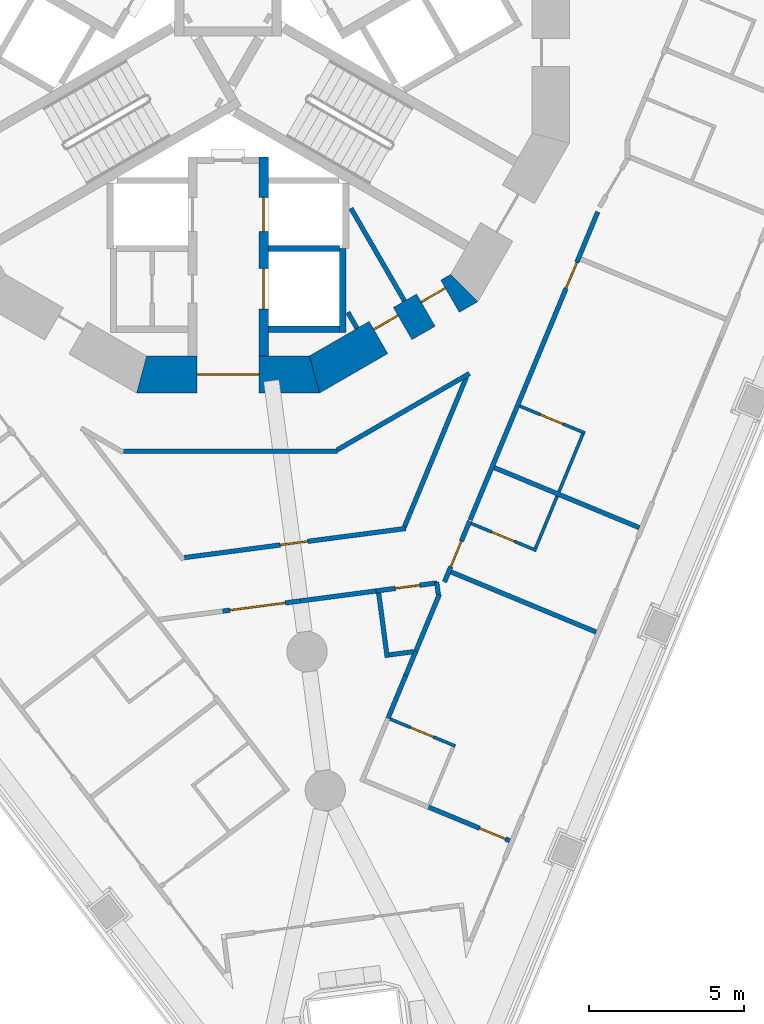
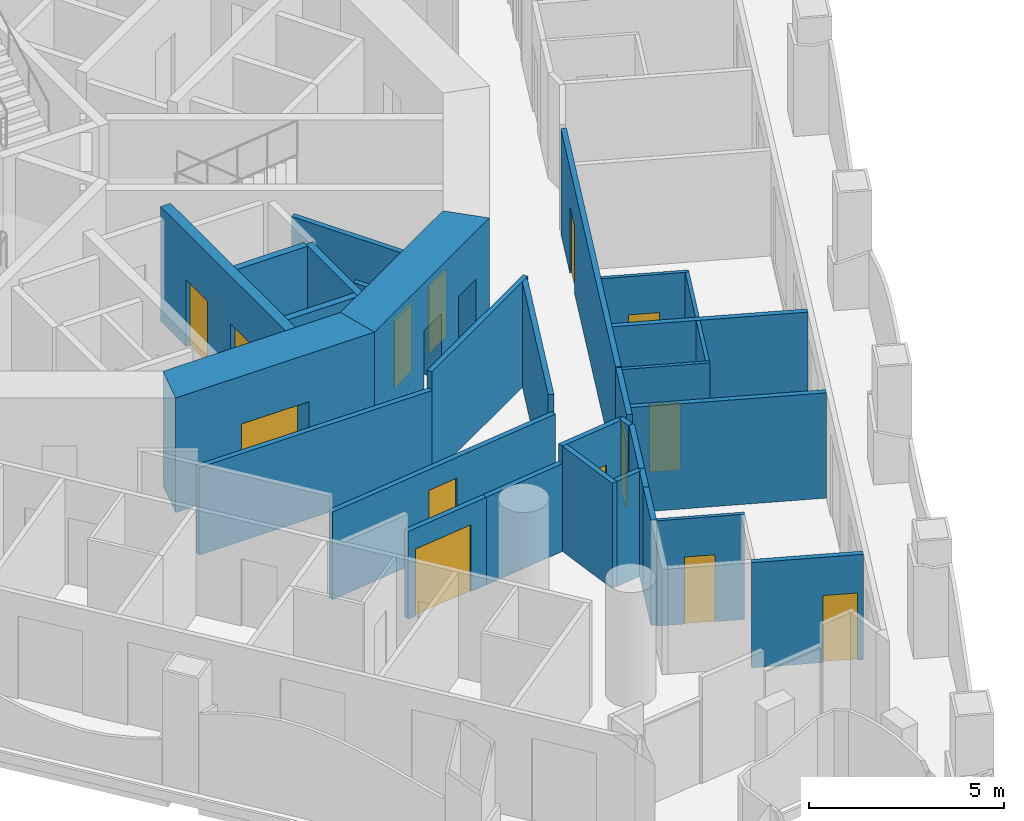
# One storey, part 4 of 19: 31 walls, 14 doors, 14 openings.
"""IFC4 building model written with IfcOpenShell, lengths in metres."""

from ifc_helpers import new_model, si_unit, direction, frame, frame_2d, origin, place, context, subcontext, project, spatial, polyline, rectangle, outline, extrude, material, layer, layer_set, type_object, element, fill, save


model = new_model("IFC4")

# Units and contexts
model_context = context("Model", 3, precision=1e-05, world=origin(), true_north=direction((0.0, 1.0)))
body_context = subcontext(model_context, "Body", "Model", "MODEL_VIEW")
ifc_project = project(units=[si_unit("LENGTHUNIT", "METRE"), si_unit("AREAUNIT", "SQUARE_METRE"), si_unit("VOLUMEUNIT", "CUBIC_METRE"), si_unit("PLANEANGLEUNIT", "RADIAN"), si_unit("MASSUNIT", "GRAM", prefix="KILO")], contexts=[model_context])

# Site, building, storey
site_placement = place(None, origin())
site = spatial("IfcSite", under=ifc_project, at=site_placement, CompositionType="ELEMENT")
building_placement = place(site_placement, origin())
building = spatial("IfcBuilding", under=site, at=building_placement, Name="Trine Commons Tower", CompositionType="ELEMENT")
storey_placement = place(building_placement, frame((0.0, 0.0, 57.60009765625)))
storey = spatial("IfcBuildingStorey", under=building, at=storey_placement, Name="L13", CompositionType="ELEMENT", Elevation=57.60009765625)

# Walls
ifc_material_1 = material(Name="Plasterboard partition on steel studs", Category="steel")
ifc_layer_1 = layer(ifc_material_1, 0.14990234375)
ifc_layer_set_1 = layer_set([ifc_layer_1], Name="Plasterboard partition on steel studs")
wall_type_1 = type_object("IfcWallType", Name="Core room partition 150 mm, EI 60", PredefinedType="PARTITIONING", material=ifc_layer_set_1)
wall_1_placement = place(storey_placement, frame((84.1640625, 53.574951171875, 0.0), z_axis=(0.0, 0.0, 1.0), x_axis=(-0.500665675203, 0.865640734759, 0.0)))
element("IfcWall", 1, at=wall_1_placement, inside=storey, type_object=wall_type_1, Name="Core room partition L13", PredefinedType="PARTITIONING", context=body_context, shape_type="SweptSolid", body=[
    extrude(rectangle(XDim=0.597412109375, YDim=0.14990234375, at=frame_2d((0.298828125, 0.0))), origin(), (0.0, 0.0, 1.0), 3.2998046875),
])
wall_2_placement = place(storey_placement, frame((85.693115234375, 54.4580078125, 0.0), z_axis=(0.0, 0.0, 1.0), x_axis=(-0.500258757272, 0.865875958653, 0.0)))
element("IfcWall", 2, at=wall_2_placement, inside=storey, type_object=wall_type_1, Name="Core room partition L13", PredefinedType="PARTITIONING", context=body_context, shape_type="SweptSolid", body=[
    extrude(rectangle(XDim=3.454345703125, YDim=0.14990234375, at=frame_2d((1.72705078125, 0.0))), origin(), (0.0, 0.0, 1.0), 3.2998046875),
])

# Wall, opening, door
ifc_material_2 = material(Name="Concrete C80/95", Category="concrete")
ifc_layer_2 = layer(ifc_material_2, 1.199951171875)
ifc_layer_set_2 = layer_set([ifc_layer_2], Name="Concrete C80/95")
wall_type_2 = type_object("IfcWallType", Name="RC shear wall 1200 mm, C80/95", PredefinedType="SHEAR", material=ifc_layer_set_2)
wall_3_placement = place(storey_placement, frame((77.049560546875, 52.08837890625, 0.0), z_axis=(0.0, 0.0, 1.0), x_axis=(1.0, 0.0, 0.0)))
wall_3 = element("IfcWall", 3, at=wall_3_placement, inside=storey, type_object=wall_type_2, Name="Core wall CWB-10 L13", PredefinedType="SHEAR", context=body_context, shape_type="SweptSolid", body=[
    extrude(outline(polyline([(0.0, -0.60009765625), (5.90087890625, -0.60009765625), (5.57958984375, 0.60009765625), (0.321533203125, 0.60009765625), (0.0, -0.60009765625)])), origin(), (0.0, 0.0, 1.0), 3.599853515625),
])
opening_1_placement = place(wall_3_placement, frame((1.950439453125, 0.0, 0.0)))
opening_1 = element("IfcOpeningElement", 4, at=opening_1_placement, cuts=wall_3, Name="Opening K04.08", PredefinedType="OPENING", context=body_context, shape_type="SweptSolid", body=[
    extrude(rectangle(XDim=2.0, YDim=2.10009765625, at=frame_2d((1.0, 1.050048828125))), frame((0.0, 0.60986328125, 0.0), z_axis=(0.0, -1.0, 0.0), x_axis=(1.0, 0.0, 0.0)), (0.0, 0.0, 1.0), 1.219970703125),
])
ifc_material_3 = material(Name="Steel door leaves, fire-rated", Category="steel")
door_type_1 = type_object("IfcDoorType", Name="Lobby door, double leaf 2000 x 2100, FD60", OperationType="DOUBLE_DOOR_SINGLE_SWING", PredefinedType="DOOR", material=ifc_material_3)
door_1_placement = place(opening_1_placement, origin())
door_1 = element("IfcDoor", 5, at=door_1_placement, inside=storey, type_object=door_type_1, Name="Lobby door, Service and firefighting lobby L13", OperationType="DOUBLE_DOOR_SINGLE_SWING", OverallHeight=2.10009765625, OverallWidth=2.0, PredefinedType="DOOR", context=body_context, shape_type="SweptSolid", body=[
    extrude(rectangle(XDim=2.0, YDim=2.10009765625, at=frame_2d((1.0, 1.050048828125))), frame((0.0, 0.02490234375, 0.0), z_axis=(0.0, -1.0, 0.0), x_axis=(1.0, 0.0, 0.0)), (0.0, 0.0, 1.0), 0.050048828125),
])
fill(opening_1, door_1)

# Wall, openings, doors
wall_4_placement = place(storey_placement, frame((82.650390625, 52.008056640625, 0.0), z_axis=(0.0, 0.0, 1.0), x_axis=(0.866037463336, 0.499979111662, 0.0)))
wall_4 = element("IfcWall", 6, at=wall_4_placement, inside=storey, type_object=wall_type_2, Name="Core wall CWB-11 L13", PredefinedType="SHEAR", context=body_context, shape_type="SweptSolid", body=[
    extrude(outline(polyline([(0.0, -0.60009765625), (5.901123046875, -0.60009765625), (5.57958984375, 0.60009765625), (0.321533203125, 0.60009765625), (0.0, -0.60009765625)])), origin(), (0.0, 0.0, 1.0), 3.599853515625),
])
opening_2_placement = place(wall_4_placement, frame((2.543701171875, 0.0, 0.0)))
opening_2 = element("IfcOpeningElement", 7, at=opening_2_placement, cuts=wall_4, Name="Opening K04.16", PredefinedType="OPENING", context=body_context, shape_type="SweptSolid", body=[
    extrude(rectangle(XDim=0.89990234375, YDim=2.10009765625, at=frame_2d((0.449951171875, 1.050048828125))), frame((0.0, 0.60986328125, 0.0), z_axis=(0.0, -1.0, 0.0), x_axis=(1.0, 0.0, 0.0)), (0.0, 0.0, 1.0), 1.219970703125),
])
opening_3_placement = place(wall_4_placement, frame((4.308837890625, 0.0, 0.0)))
opening_3 = element("IfcOpeningElement", 8, at=opening_3_placement, cuts=wall_4, Name="Opening K04.17", PredefinedType="OPENING", context=body_context, shape_type="SweptSolid", body=[
    extrude(rectangle(XDim=0.89990234375, YDim=2.10009765625, at=frame_2d((0.449951171875, 1.050048828125))), frame((0.0, 0.60986328125, 0.0), z_axis=(0.0, -1.0, 0.0), x_axis=(1.0, 0.0, 0.0)), (0.0, 0.0, 1.0), 1.219970703125),
])
ifc_material_4 = material(Name="Steel door leaf, fire-rated", Category="steel")
door_type_2 = type_object("IfcDoorType", Name="Core room door, single leaf 900 x 2100, FD30S", OperationType="SINGLE_SWING_LEFT", PredefinedType="DOOR", material=ifc_material_4)
door_2_placement = place(opening_2_placement, origin())
door_2 = element("IfcDoor", 9, at=door_2_placement, inside=storey, type_object=door_type_2, Name="Door to Linen store L13", OperationType="SINGLE_SWING_RIGHT", OverallHeight=2.10009765625, OverallWidth=0.89990234375, PredefinedType="DOOR", context=body_context, shape_type="SweptSolid", body=[
    extrude(rectangle(XDim=0.89990234375, YDim=2.10009765625, at=frame_2d((0.449951171875, 1.050048828125))), frame((0.0, 0.3251953125, 0.0), z_axis=(0.0, -1.0, 0.0), x_axis=(1.0, 0.0, 0.0)), (0.0, 0.0, 1.0), 0.050048828125),
])
fill(opening_2, door_2)
door_3_placement = place(opening_3_placement, origin())
door_3 = element("IfcDoor", 10, at=door_3_placement, inside=storey, type_object=door_type_2, Name="Door to Pantry L13", OperationType="SINGLE_SWING_RIGHT", OverallHeight=2.10009765625, OverallWidth=0.89990234375, PredefinedType="DOOR", context=body_context, shape_type="SweptSolid", body=[
    extrude(rectangle(XDim=0.89990234375, YDim=2.10009765625, at=frame_2d((0.449951171875, 1.050048828125))), frame((0.0, 0.3251953125, 0.0), z_axis=(0.0, -1.0, 0.0), x_axis=(1.0, 0.0, 0.0)), (0.0, 0.0, 1.0), 0.050048828125),
])
fill(opening_3, door_3)

ifc_layer_3 = layer(ifc_material_2, 0.300048828125)
ifc_layer_set_3 = layer_set([ifc_layer_3], Name="Concrete C80/95")
wall_type_3 = type_object("IfcWallType", Name="RC shear wall 300 mm, C80/95", PredefinedType="SHEAR", material=ifc_layer_set_3)
wall_5_placement = place(storey_placement, frame((81.14990234375, 59.10009765625, 0.0), z_axis=(0.0, 0.0, 1.0), x_axis=(0.0, -1.0, 0.0)))
wall_5 = element("IfcWall", 11, at=wall_5_placement, inside=storey, type_object=wall_type_3, Name="Core cross wall SWA-04 L13", PredefinedType="SHEAR", context=body_context, shape_type="SweptSolid", body=[
    extrude(rectangle(XDim=6.412109375, YDim=0.300048828125, at=frame_2d((3.2060546875, 0.0))), origin(), (0.0, 0.0, 1.0), 3.599853515625),
])
opening_4_placement = place(wall_5_placement, frame((3.60009765625, 0.0, 0.0)))
opening_4 = element("IfcOpeningElement", 12, at=opening_4_placement, cuts=wall_5, Name="Opening LD11", PredefinedType="OPENING", context=body_context, shape_type="SweptSolid", body=[
    extrude(rectangle(XDim=1.300048828125, YDim=2.10009765625, at=frame_2d((0.64990234375, 1.050048828125))), frame((0.0, 0.159912109375, 0.0), z_axis=(0.0, -1.0, 0.0), x_axis=(1.0, 0.0, 0.0)), (0.0, 0.0, 1.0), 0.320068359375),
])
opening_5_placement = place(wall_5_placement, frame((1.300048828125, 0.0, 0.0)))
opening_5 = element("IfcOpeningElement", 13, at=opening_5_placement, cuts=wall_5, Name="Opening LD9", PredefinedType="OPENING", context=body_context, shape_type="SweptSolid", body=[
    extrude(rectangle(XDim=1.10009765625, YDim=2.10009765625, at=frame_2d((0.550048828125, 1.050048828125))), frame((0.0, 0.159912109375, 0.0), z_axis=(0.0, -1.0, 0.0), x_axis=(1.0, 0.0, 0.0)), (0.0, 0.0, 1.0), 0.320068359375),
])
ifc_material_5 = material(Name="Stainless steel sliding door leaves", Category="steel")
door_type_3 = type_object("IfcDoorType", Name="Lift landing door, centre-opening sliding 1100 x 2100, FD90", OperationType="DOUBLE_DOOR_SLIDING", PredefinedType="DOOR", material=ifc_material_5)
door_4_placement = place(opening_5_placement, origin())
door_4 = element("IfcDoor", 14, at=door_4_placement, inside=storey, type_object=door_type_3, Name="Lift landing door FF1 L13", OperationType="DOUBLE_DOOR_SLIDING", OverallHeight=2.10009765625, OverallWidth=1.10009765625, PredefinedType="DOOR", context=body_context, shape_type="SweptSolid", body=[
    extrude(rectangle(XDim=1.10009765625, YDim=2.10009765625, at=frame_2d((0.550048828125, 1.050048828125))), frame((0.0, 0.02490234375, 0.0), z_axis=(0.0, -1.0, 0.0), x_axis=(1.0, 0.0, 0.0)), (0.0, 0.0, 1.0), 0.050048828125),
])
fill(opening_5, door_4)
door_type_4 = type_object("IfcDoorType", Name="Lift landing door, centre-opening sliding 1300 x 2100, FD90", OperationType="DOUBLE_DOOR_SLIDING", PredefinedType="DOOR", material=ifc_material_5)
door_5_placement = place(opening_4_placement, origin())
door_5 = element("IfcDoor", 15, at=door_5_placement, inside=storey, type_object=door_type_4, Name="Lift landing door G1 L13", OperationType="DOUBLE_DOOR_SLIDING", OverallHeight=2.10009765625, OverallWidth=1.300048828125, PredefinedType="DOOR", context=body_context, shape_type="SweptSolid", body=[
    extrude(rectangle(XDim=1.300048828125, YDim=2.10009765625, at=frame_2d((0.64990234375, 1.050048828125))), frame((0.0, 0.02490234375, 0.0), z_axis=(0.0, -1.0, 0.0), x_axis=(1.0, 0.0, 0.0)), (0.0, 0.0, 1.0), 0.050048828125),
])
fill(opening_4, door_5)

# Walls
ifc_material_6 = material(Name="Fire-rated gypsum shaft wall system")
ifc_layer_4 = layer(ifc_material_6, 0.199951171875)
ifc_layer_set_4 = layer_set([ifc_layer_4], Name="Fire-rated gypsum shaft wall system")
wall_type_4 = type_object("IfcWallType", Name="Shaft wall 200 mm, EI 120", PredefinedType="PARTITIONING", material=ifc_layer_set_4)
for number, where, z_axis, x_axis, name in (
    (16, (81.300048828125, 53.550048828125, 0.0), (0.0, 0.0, 1.0), (1.0, 0.0, 0.0), "Shaft wall L13"),
    (17, (81.300048828125, 56.14990234375, 0.0), (0.0, 0.0, 1.0), (1.0, 0.0, 0.0), "Shaft wall L13"),
):
    element("IfcWall", number, at=place(storey_placement, frame(where, z_axis=z_axis, x_axis=x_axis)), inside=storey, type_object=wall_type_4, Name=name, PredefinedType="PARTITIONING", context=body_context, shape_type="SweptSolid", body=[
        extrude(rectangle(XDim=2.300048828125, YDim=0.199951171875, at=frame_2d((1.14990234375, 0.0))), origin(), (0.0, 0.0, 1.0), 3.2998046875),
    ])
wall_6_placement = place(storey_placement, frame((83.699951171875, 56.14990234375, 0.0), z_axis=(0.0, 0.0, 1.0), x_axis=(0.0, -1.0, 0.0)))
element("IfcWall", 18, at=wall_6_placement, inside=storey, type_object=wall_type_4, Name="Shaft wall L13", PredefinedType="PARTITIONING", context=body_context, shape_type="SweptSolid", body=[
    extrude(rectangle(XDim=2.699951171875, YDim=0.199951171875, at=frame_2d((1.35009765625, 0.0))), origin(), (0.0, 0.0, 1.0), 3.2998046875),
])
ifc_material_7 = material(Name="Gypsum plasterboard on steel stud", Category="steel")
ifc_layer_5 = layer(ifc_material_7, 0.14990234375)
ifc_layer_set_5 = layer_set([ifc_layer_5], Name="Gypsum plasterboard on steel stud")
wall_type_5 = type_object("IfcWallType", Name="Unit and corridor wall 150 mm, EI 60", PredefinedType="PARTITIONING", material=ifc_layer_set_5)
wall_7_placement = place(storey_placement, frame((76.6220703125, 49.613037109375, 0.0), z_axis=(0.0, 0.0, 1.0), x_axis=(1.0, 0.0, 0.0)))
element("IfcWall", 19, at=wall_7_placement, inside=storey, type_object=wall_type_5, Name="Partition 075", PredefinedType="PARTITIONING", context=body_context, shape_type="SweptSolid", body=[
    extrude(rectangle(XDim=6.906005859375, YDim=0.14990234375, at=frame_2d((3.453125, 0.0))), origin(), (0.0, 0.0, 1.0), 2.75),
])

# Wall, opening, door
wall_8_placement = place(storey_placement, frame((78.58642578125, 46.177734375, 0.0), z_axis=(0.0, 0.0, 1.0), x_axis=(0.991437356371, 0.130583185714, 0.0)))
wall_8 = element("IfcWall", 20, at=wall_8_placement, inside=storey, type_object=wall_type_5, Name="Partition 081", PredefinedType="PARTITIONING", context=body_context, shape_type="SweptSolid", body=[
    extrude(rectangle(XDim=7.21484375, YDim=0.14990234375, at=frame_2d((3.607421875, 0.0))), origin(), (0.0, 0.0, 1.0), 2.75),
])
opening_6_placement = place(wall_8_placement, frame((3.119873046875, 0.0, 0.0)))
opening_6 = element("IfcOpeningElement", 21, at=opening_6_placement, cuts=wall_8, Name="Opening D-2A36", PredefinedType="OPENING", context=body_context, shape_type="SweptSolid", body=[
    extrude(rectangle(XDim=0.89990234375, YDim=2.10009765625, at=frame_2d((0.449951171875, 1.050048828125))), frame((0.0, 0.0849609375, 0.0), z_axis=(0.0, -1.0, 0.0), x_axis=(1.0, 0.0, 0.0)), (0.0, 0.0, 1.0), 0.169921875),
])
ifc_material_8 = material(Name="Timber fire door set", Category="wood")
door_type_5 = type_object("IfcDoorType", Name="Service door 900 x 2100, FD30S", OperationType="NOTDEFINED", PredefinedType="DOOR", material=ifc_material_8)
door_6_placement = place(opening_6_placement, origin())
door_6 = element("IfcDoor", 22, at=door_6_placement, inside=storey, type_object=door_type_5, Name="Door D-2A36", OperationType="SINGLE_SWING_LEFT", OverallHeight=2.10009765625, OverallWidth=0.89990234375, PredefinedType="DOOR", context=body_context, shape_type="SweptSolid", body=[
    extrude(rectangle(XDim=0.89990234375, YDim=2.10009765625, at=frame_2d((0.449951171875, 1.050048828125))), frame((0.0, 0.02490234375, 0.0), z_axis=(0.0, -1.0, 0.0), x_axis=(1.0, 0.0, 0.0)), (0.0, 0.0, 1.0), 0.050048828125),
])
fill(opening_6, door_6)

wall_9_placement = place(storey_placement, frame((79.830078125, 44.450927734375, 0.0), z_axis=(0.0, 0.0, 1.0), x_axis=(0.991466141497, 0.130364451691, 0.0)))
wall_9 = element("IfcWall", 23, at=wall_9_placement, inside=storey, type_object=wall_type_5, Name="Partition 086", PredefinedType="PARTITIONING", context=body_context, shape_type="SweptSolid", body=[
    extrude(rectangle(XDim=2.5244140625, YDim=0.14990234375, at=frame_2d((1.26220703125, 0.0))), origin(), (0.0, 0.0, 1.0), 2.75),
])
opening_7_placement = place(wall_9_placement, frame((0.23486328125, 0.0, 0.0)))
opening_7 = element("IfcOpeningElement", 24, at=opening_7_placement, cuts=wall_9, Name="Opening D-2A02", PredefinedType="OPENING", context=body_context, shape_type="SweptSolid", body=[
    extrude(rectangle(XDim=1.800048828125, YDim=2.10009765625, at=frame_2d((0.89990234375, 1.050048828125))), frame((0.0, 0.0849609375, 0.0), z_axis=(0.0, -1.0, 0.0), x_axis=(1.0, 0.0, 0.0)), (0.0, 0.0, 1.0), 0.169921875),
])
door_type_6 = type_object("IfcDoorType", Name="Cluster entrance door 1800 x 2100, double leaf, FD30S", OperationType="DOUBLE_DOOR_DOUBLE_SWING", PredefinedType="DOOR", material=ifc_material_8)
door_7_placement = place(opening_7_placement, frame((1.800048828125, 0.0, 0.0), z_axis=(0.0, 0.0, 1.0), x_axis=(-1.0, 0.0, 0.0)))
door_7 = element("IfcDoor", 25, at=door_7_placement, inside=storey, type_object=door_type_6, Name="Door D-2A02", OperationType="DOUBLE_DOOR_DOUBLE_SWING", OverallHeight=2.10009765625, OverallWidth=1.800048828125, PredefinedType="DOOR", context=body_context, shape_type="SweptSolid", body=[
    extrude(rectangle(XDim=1.800048828125, YDim=2.10009765625, at=frame_2d((0.89990234375, 1.050048828125))), frame((0.0, 0.02490234375, 0.0), z_axis=(0.0, -1.0, 0.0), x_axis=(1.0, 0.0, 0.0)), (0.0, 0.0, 1.0), 0.050048828125),
])
fill(opening_7, door_7)

# Walls
wall_10_placement = place(storey_placement, frame((82.3330078125, 44.780029296875, 0.0), z_axis=(0.0, 0.0, 1.0), x_axis=(0.991416071527, 0.130744686764, 0.0)))
element("IfcWall", 26, at=wall_10_placement, inside=storey, type_object=wall_type_5, Name="Partition 089", PredefinedType="PARTITIONING", context=body_context, shape_type="SweptSolid", body=[
    extrude(rectangle(XDim=2.524658203125, YDim=0.14990234375, at=frame_2d((1.26220703125, 0.0))), origin(), (0.0, 0.0, 1.0), 2.75),
])
wall_11_placement = place(storey_placement, frame((83.517822265625, 49.650390625, 0.0), z_axis=(0.0, 0.0, 1.0), x_axis=(0.865971288988, 0.500093717866, 0.0)))
element("IfcWall", 27, at=wall_11_placement, inside=storey, type_object=wall_type_5, Name="Partition 092", PredefinedType="PARTITIONING", context=body_context, shape_type="SweptSolid", body=[
    extrude(rectangle(XDim=4.93310546875, YDim=0.14990234375, at=frame_2d((2.466552734375, 0.0))), origin(), (0.0, 0.0, 1.0), 3.2998046875),
])

# Wall, opening, door
wall_12_placement = place(storey_placement, frame((84.772705078125, 45.102294921875, 0.0), z_axis=(0.0, 0.0, 1.0), x_axis=(0.991450105095, 0.130486356022, 0.0)))
wall_12 = element("IfcWall", 28, at=wall_12_placement, inside=storey, type_object=wall_type_5, Name="Partition 096", PredefinedType="PARTITIONING", context=body_context, shape_type="SweptSolid", body=[
    extrude(rectangle(XDim=1.983154296875, YDim=0.14990234375, at=frame_2d((0.99169921875, 0.0))), origin(), (0.0, 0.0, 1.0), 3.2998046875),
])
opening_8_placement = place(wall_12_placement, frame((0.629150390625, 0.0, 0.0)))
opening_8 = element("IfcOpeningElement", 29, at=opening_8_placement, cuts=wall_12, Name="Opening D-2A05", PredefinedType="OPENING", context=body_context, shape_type="SweptSolid", body=[
    extrude(rectangle(XDim=0.800048828125, YDim=2.10009765625, at=frame_2d((0.39990234375, 1.050048828125))), frame((0.0, 0.0849609375, 0.0), z_axis=(0.0, -1.0, 0.0), x_axis=(1.0, 0.0, 0.0)), (0.0, 0.0, 1.0), 0.169921875),
])
ifc_material_9 = material(Name="Painted timber", Category="wood")
door_type_7 = type_object("IfcDoorType", Name="Toilet door 800 x 2100, NOT RATED", OperationType="NOTDEFINED", PredefinedType="DOOR", material=ifc_material_9)
door_8_placement = place(opening_8_placement, frame((0.800048828125, 0.0, 0.0), z_axis=(0.0, 0.0, 1.0), x_axis=(-1.0, 0.0, 0.0)))
door_8 = element("IfcDoor", 30, at=door_8_placement, inside=storey, type_object=door_type_7, Name="Door D-2A05", OperationType="SINGLE_SWING_LEFT", OverallHeight=2.10009765625, OverallWidth=0.800048828125, PredefinedType="DOOR", context=body_context, shape_type="SweptSolid", body=[
    extrude(rectangle(XDim=0.800048828125, YDim=2.10009765625, at=frame_2d((0.39990234375, 1.050048828125))), frame((0.0, 0.02490234375, 0.0), z_axis=(0.0, -1.0, 0.0), x_axis=(1.0, 0.0, 0.0)), (0.0, 0.0, 1.0), 0.050048828125),
])
fill(opening_8, door_8)

# Walls
wall_13_placement = place(storey_placement, frame((84.86083984375, 45.03759765625, 0.0), z_axis=(0.0, 0.0, 1.0), x_axis=(0.130899564309, -0.991395634479, 0.0)))
element("IfcWall", 31, at=wall_13_placement, inside=storey, type_object=wall_type_5, Name="Partition 097", PredefinedType="PARTITIONING", context=body_context, shape_type="SweptSolid", body=[
    extrude(rectangle(XDim=2.10009765625, YDim=0.14990234375, at=frame_2d((1.050048828125, 0.0))), origin(), (0.0, 0.0, 1.0), 3.2998046875),
])
wall_14_placement = place(storey_placement, frame((85.200439453125, 43.039794921875, 0.0), z_axis=(0.0, 0.0, 1.0), x_axis=(0.991515431038, 0.129989038049, 0.0)))
element("IfcWall", 32, at=wall_14_placement, inside=storey, type_object=wall_type_5, Name="Partition 100", PredefinedType="PARTITIONING", context=body_context, shape_type="SweptSolid", body=[
    extrude(rectangle(XDim=0.786865234375, YDim=0.14990234375, at=frame_2d((0.3935546875, 0.0))), origin(), (0.0, 0.0, 1.0), 3.2998046875),
])
wall_15_placement = place(storey_placement, frame((85.160888671875, 40.993896484375, 0.0), z_axis=(0.0, 0.0, 1.0), x_axis=(0.382519732759, 0.923947322118, 0.0)))
element("IfcWall", 33, at=wall_15_placement, inside=storey, type_object=wall_type_5, Name="Partition 101", PredefinedType="PARTITIONING", context=body_context, shape_type="SweptSolid", body=[
    extrude(rectangle(XDim=1.498046875, YDim=0.14990234375, at=frame_2d((0.7490234375, 0.0))), origin(), (0.0, 0.0, 1.0), 3.2998046875),
])
wall_16_placement = place(storey_placement, frame((85.693603515625, 47.17919921875, 0.0), z_axis=(0.0, 0.0, 1.0), x_axis=(0.382564920946, 0.923928612643, 0.0)))
element("IfcWall", 34, at=wall_16_placement, inside=storey, type_object=wall_type_5, Name="Partition 106", PredefinedType="PARTITIONING", context=body_context, shape_type="SweptSolid", body=[
    extrude(rectangle(XDim=5.227294921875, YDim=0.14990234375, at=frame_2d((2.61376953125, 0.0))), origin(), (0.0, 0.0, 1.0), 3.2998046875),
])
wall_17_placement = place(storey_placement, frame((85.73388671875, 42.3779296875, 0.0), z_axis=(0.0, 0.0, 1.0), x_axis=(0.383063523393, 0.923722002036, 0.0)))
element("IfcWall", 35, at=wall_17_placement, inside=storey, type_object=wall_type_5, Name="Partition 107", PredefinedType="PARTITIONING", context=body_context, shape_type="SweptSolid", body=[
    extrude(rectangle(XDim=0.838134765625, YDim=0.14990234375, at=frame_2d((0.4189453125, 0.0))), origin(), (0.0, 0.0, 1.0), 3.2998046875),
])
wall_18_placement = place(storey_placement, frame((86.054931640625, 43.152099609375, 0.0), z_axis=(0.0, 0.0, 1.0), x_axis=(0.382829605696, 0.923818971987, 0.0)))
element("IfcWall", 36, at=wall_18_placement, inside=storey, type_object=wall_type_5, Name="Partition 108", PredefinedType="PARTITIONING", context=body_context, shape_type="SweptSolid", body=[
    extrude(rectangle(XDim=2.00048828125, YDim=0.14990234375, at=frame_2d((1.000244140625, 0.0))), origin(), (0.0, 0.0, 1.0), 3.2998046875),
])

# Wall, opening, door
wall_19_placement = place(storey_placement, frame((86.413818359375, 38.151123046875, 0.0), z_axis=(0.0, 0.0, 1.0), x_axis=(0.923916054036, -0.382595249703, 0.0)))
wall_19 = element("IfcWall", 37, at=wall_19_placement, inside=storey, type_object=wall_type_5, Name="Partition 109", PredefinedType="PARTITIONING", context=body_context, shape_type="SweptSolid", body=[
    extrude(rectangle(XDim=2.893310546875, YDim=0.14990234375, at=frame_2d((1.44677734375, 0.0))), origin(), (0.0, 0.0, 1.0), 3.2998046875),
])
opening_9_placement = place(wall_19_placement, frame((1.84326171875, 0.0, 0.0)))
opening_9 = element("IfcOpeningElement", 38, at=opening_9_placement, cuts=wall_19, Name="Opening D-2A25", PredefinedType="OPENING", context=body_context, shape_type="SweptSolid", body=[
    extrude(rectangle(XDim=0.89990234375, YDim=2.10009765625, at=frame_2d((0.449951171875, 1.050048828125))), frame((0.0, 0.0849609375, 0.0), z_axis=(0.0, -1.0, 0.0), x_axis=(1.0, 0.0, 0.0)), (0.0, 0.0, 1.0), 0.169921875),
])
door_type_8 = type_object("IfcDoorType", Name="Bedroom door 900 x 2100, FD30S", OperationType="NOTDEFINED", PredefinedType="DOOR", material=ifc_material_8)
door_9_placement = place(opening_9_placement, origin())
door_9 = element("IfcDoor", 39, at=door_9_placement, inside=storey, type_object=door_type_8, Name="Door D-2A25", OperationType="SINGLE_SWING_RIGHT", OverallHeight=2.10009765625, OverallWidth=0.89990234375, PredefinedType="DOOR", context=body_context, shape_type="SweptSolid", body=[
    extrude(rectangle(XDim=0.89990234375, YDim=2.10009765625, at=frame_2d((0.449951171875, 1.050048828125))), frame((0.0, 0.02490234375, 0.0), z_axis=(0.0, -1.0, 0.0), x_axis=(1.0, 0.0, 0.0)), (0.0, 0.0, 1.0), 0.050048828125),
])
fill(opening_9, door_9)

# Wall
wall_20_placement = place(storey_placement, frame((86.732177734375, 45.380859375, 0.0), z_axis=(0.0, 0.0, 1.0), x_axis=(0.131843859112, -0.99127049629, 0.0)))
element("IfcWall", 40, at=wall_20_placement, inside=storey, type_object=wall_type_5, Name="Partition 112", PredefinedType="PARTITIONING", context=body_context, shape_type="SweptSolid", body=[
    extrude(rectangle(XDim=0.39990234375, YDim=0.14990234375, at=frame_2d((0.199951171875, 0.0))), origin(), (0.0, 0.0, 1.0), 3.2998046875),
])

# Wall, opening, door
wall_21_placement = place(storey_placement, frame((86.98291015625, 45.39306640625, 0.0), z_axis=(0.0, 0.0, 1.0), x_axis=(0.382618621816, 0.923906375257, 0.0)))
wall_21 = element("IfcWall", 41, at=wall_21_placement, inside=storey, type_object=wall_type_5, Name="Partition 113", PredefinedType="PARTITIONING", context=body_context, shape_type="SweptSolid", body=[
    extrude(rectangle(XDim=2.1279296875, YDim=0.14990234375, at=frame_2d((1.06396484375, 0.0))), origin(), (0.0, 0.0, 1.0), 3.2998046875),
])
opening_10_placement = place(wall_21_placement, frame((0.52978515625, 0.0, 0.0)))
opening_10 = element("IfcOpeningElement", 42, at=opening_10_placement, cuts=wall_21, Name="Opening D-2A24", PredefinedType="OPENING", context=body_context, shape_type="SweptSolid", body=[
    extrude(rectangle(XDim=0.89990234375, YDim=2.10009765625, at=frame_2d((0.449951171875, 1.050048828125))), frame((0.0, 0.0849609375, 0.0), z_axis=(0.0, -1.0, 0.0), x_axis=(1.0, 0.0, 0.0)), (0.0, 0.0, 1.0), 0.169921875),
])
door_10_placement = place(opening_10_placement, frame((0.89990234375, 0.0, 0.0), z_axis=(0.0, 0.0, 1.0), x_axis=(-1.0, 0.0, 0.0)))
door_10 = element("IfcDoor", 43, at=door_10_placement, inside=storey, type_object=door_type_8, Name="Door D-2A24", OperationType="SINGLE_SWING_RIGHT", OverallHeight=2.10009765625, OverallWidth=0.89990234375, PredefinedType="DOOR", context=body_context, shape_type="SweptSolid", body=[
    extrude(rectangle(XDim=0.89990234375, YDim=2.10009765625, at=frame_2d((0.449951171875, 1.050048828125))), frame((0.0, 0.02490234375, 0.0), z_axis=(0.0, -1.0, 0.0), x_axis=(1.0, 0.0, 0.0)), (0.0, 0.0, 1.0), 0.050048828125),
])
fill(opening_10, door_10)

# Wall
wall_22_placement = place(storey_placement, frame((87.197265625, 45.71533203125, 0.0), z_axis=(0.0, 0.0, 1.0), x_axis=(0.923879340067, -0.382683896966, 0.0)))
element("IfcWall", 44, at=wall_22_placement, inside=storey, type_object=wall_type_5, Name="Partition 115", PredefinedType="PARTITIONING", context=body_context, shape_type="SweptSolid", body=[
    extrude(rectangle(XDim=5.064208984375, YDim=0.14990234375, at=frame_2d((2.5322265625, 0.0))), origin(), (0.0, 0.0, 1.0), 3.2998046875),
])

# Wall, opening, door
wall_23_placement = place(storey_placement, frame((87.81103515625, 47.39306640625, 0.0), z_axis=(0.0, 0.0, 1.0), x_axis=(0.382671722525, 0.923884382799, 0.0)))
wall_23 = element("IfcWall", 45, at=wall_23_placement, inside=storey, type_object=wall_type_5, Name="Partition 117", PredefinedType="PARTITIONING", context=body_context, shape_type="SweptSolid", body=[
    extrude(rectangle(XDim=10.760986328125, YDim=0.14990234375, at=frame_2d((5.38037109375, 0.0))), origin(), (0.0, 0.0, 1.0), 3.2998046875),
])
opening_11_placement = place(wall_23_placement, frame((8.09619140625, 0.0, 0.0)))
opening_11 = element("IfcOpeningElement", 46, at=opening_11_placement, cuts=wall_23, Name="Opening D-2A23", PredefinedType="OPENING", context=body_context, shape_type="SweptSolid", body=[
    extrude(rectangle(XDim=0.89990234375, YDim=2.10009765625, at=frame_2d((0.449951171875, 1.050048828125))), frame((0.0, 0.0849609375, 0.0), z_axis=(0.0, -1.0, 0.0), x_axis=(1.0, 0.0, 0.0)), (0.0, 0.0, 1.0), 0.169921875),
])
door_11_placement = place(opening_11_placement, frame((0.89990234375, 0.0, 0.0), z_axis=(0.0, 0.0, 1.0), x_axis=(-1.0, 0.0, 0.0)))
door_11 = element("IfcDoor", 47, at=door_11_placement, inside=storey, type_object=door_type_8, Name="Door D-2A23", OperationType="SINGLE_SWING_LEFT", OverallHeight=2.10009765625, OverallWidth=0.89990234375, PredefinedType="DOOR", context=body_context, shape_type="SweptSolid", body=[
    extrude(rectangle(XDim=0.89990234375, YDim=2.10009765625, at=frame_2d((0.449951171875, 1.050048828125))), frame((0.0, 0.02490234375, 0.0), z_axis=(0.0, -1.0, 0.0), x_axis=(1.0, 0.0, 0.0)), (0.0, 0.0, 1.0), 0.050048828125),
])
fill(opening_11, door_11)

# Wall
wall_24_placement = place(storey_placement, frame((88.59130859375, 49.081298828125, 0.0), z_axis=(0.0, 0.0, 1.0), x_axis=(0.923879340067, -0.382683896966, 0.0)))
element("IfcWall", 48, at=wall_24_placement, inside=storey, type_object=wall_type_5, Name="Partition 118", PredefinedType="PARTITIONING", context=body_context, shape_type="SweptSolid", body=[
    extrude(rectangle(XDim=5.064208984375, YDim=0.14990234375, at=frame_2d((2.5322265625, 0.0))), origin(), (0.0, 0.0, 1.0), 3.2998046875),
])

# Wall, opening, door
ifc_layer_6 = layer(ifc_material_7, 0.10009765625)
ifc_layer_set_6 = layer_set([ifc_layer_6], Name="Gypsum plasterboard on steel stud")
wall_type_6 = type_object("IfcWallType", Name="Unit partition 100 mm, no rating", PredefinedType="PARTITIONING", material=ifc_layer_set_6)
wall_25_placement = place(storey_placement, frame((85.231201171875, 40.96923828125, 0.0), z_axis=(0.0, 0.0, 1.0), x_axis=(0.923931833824, -0.382557141415, 0.0)))
wall_25 = element("IfcWall", 49, at=wall_25_placement, inside=storey, type_object=wall_type_6, Name="Partition 103", PredefinedType="PARTITIONING", context=body_context, shape_type="SweptSolid", body=[
    extrude(rectangle(XDim=2.275146484375, YDim=0.10009765625, at=frame_2d((1.1376953125, 0.0))), origin(), (0.0, 0.0, 1.0), 3.2998046875),
])
opening_12_placement = place(wall_25_placement, frame((0.71240234375, 0.0, 0.0)))
opening_12 = element("IfcOpeningElement", 50, at=opening_12_placement, cuts=wall_25, Name="Opening D-2A56", PredefinedType="OPENING", context=body_context, shape_type="SweptSolid", body=[
    extrude(rectangle(XDim=0.800048828125, YDim=2.10009765625, at=frame_2d((0.39990234375, 1.050048828125))), frame((0.0, 0.06005859375, 0.0), z_axis=(0.0, -1.0, 0.0), x_axis=(1.0, 0.0, 0.0)), (0.0, 0.0, 1.0), 0.1201171875),
])
door_type_9 = type_object("IfcDoorType", Name="Internal door 800 x 2100, NOT RATED", OperationType="NOTDEFINED", PredefinedType="DOOR", material=ifc_material_9)
door_12_placement = place(opening_12_placement, origin())
door_12 = element("IfcDoor", 51, at=door_12_placement, inside=storey, type_object=door_type_9, Name="Door D-2A56", OperationType="SINGLE_SWING_LEFT", OverallHeight=2.10009765625, OverallWidth=0.800048828125, PredefinedType="DOOR", context=body_context, shape_type="SweptSolid", body=[
    extrude(rectangle(XDim=0.800048828125, YDim=2.10009765625, at=frame_2d((0.39990234375, 1.050048828125))), frame((0.0, 0.02490234375, 0.0), z_axis=(0.0, -1.0, 0.0), x_axis=(1.0, 0.0, 0.0)), (0.0, 0.0, 1.0), 0.050048828125),
])
fill(opening_12, door_12)

wall_26_placement = place(storey_placement, frame((87.84521484375, 47.2802734375, 0.0), z_axis=(0.0, 0.0, 1.0), x_axis=(0.92378006954, -0.382923469012, 0.0)))
wall_26 = element("IfcWall", 52, at=wall_26_placement, inside=storey, type_object=wall_type_6, Name="Partition 116", PredefinedType="PARTITIONING", context=body_context, shape_type="SweptSolid", body=[
    extrude(rectangle(XDim=2.275390625, YDim=0.10009765625, at=frame_2d((1.1376953125, 0.0))), origin(), (0.0, 0.0, 1.0), 3.2998046875),
])
opening_13_placement = place(wall_26_placement, frame((0.712646484375, 0.0, 0.0)))
opening_13 = element("IfcOpeningElement", 53, at=opening_13_placement, cuts=wall_26, Name="Opening D-2A55", PredefinedType="OPENING", context=body_context, shape_type="SweptSolid", body=[
    extrude(rectangle(XDim=0.800048828125, YDim=2.10009765625, at=frame_2d((0.39990234375, 1.050048828125))), frame((0.0, 0.06005859375, 0.0), z_axis=(0.0, -1.0, 0.0), x_axis=(1.0, 0.0, 0.0)), (0.0, 0.0, 1.0), 0.1201171875),
])
door_13_placement = place(opening_13_placement, frame((0.800048828125, 0.0, 0.0), z_axis=(0.0, 0.0, 1.0), x_axis=(-1.0, 0.0, 0.0)))
door_13 = element("IfcDoor", 54, at=door_13_placement, inside=storey, type_object=door_type_9, Name="Door D-2A55", OperationType="SINGLE_SWING_RIGHT", OverallHeight=2.10009765625, OverallWidth=0.800048828125, PredefinedType="DOOR", context=body_context, shape_type="SweptSolid", body=[
    extrude(rectangle(XDim=0.800048828125, YDim=2.10009765625, at=frame_2d((0.39990234375, 1.050048828125))), frame((0.0, 0.02490234375, 0.0), z_axis=(0.0, -1.0, 0.0), x_axis=(1.0, 0.0, 0.0)), (0.0, 0.0, 1.0), 0.050048828125),
])
fill(opening_13, door_13)

wall_27_placement = place(storey_placement, frame((89.414306640625, 51.0673828125, 0.0), z_axis=(0.0, 0.0, 1.0), x_axis=(0.923916126796, -0.382595073996, 0.0)))
wall_27 = element("IfcWall", 55, at=wall_27_placement, inside=storey, type_object=wall_type_6, Name="Partition 121", PredefinedType="PARTITIONING", context=body_context, shape_type="SweptSolid", body=[
    extrude(rectangle(XDim=2.27490234375, YDim=0.10009765625, at=frame_2d((1.137451171875, 0.0))), origin(), (0.0, 0.0, 1.0), 3.2998046875),
])
opening_14_placement = place(wall_27_placement, frame((0.71240234375, 0.0, 0.0)))
opening_14 = element("IfcOpeningElement", 56, at=opening_14_placement, cuts=wall_27, Name="Opening D-2A54", PredefinedType="OPENING", context=body_context, shape_type="SweptSolid", body=[
    extrude(rectangle(XDim=0.800048828125, YDim=2.10009765625, at=frame_2d((0.39990234375, 1.050048828125))), frame((0.0, 0.06005859375, 0.0), z_axis=(0.0, -1.0, 0.0), x_axis=(1.0, 0.0, 0.0)), (0.0, 0.0, 1.0), 0.1201171875),
])
door_14_placement = place(opening_14_placement, origin())
door_14 = element("IfcDoor", 57, at=door_14_placement, inside=storey, type_object=door_type_9, Name="Door D-2A54", OperationType="SINGLE_SWING_LEFT", OverallHeight=2.10009765625, OverallWidth=0.800048828125, PredefinedType="DOOR", context=body_context, shape_type="SweptSolid", body=[
    extrude(rectangle(XDim=0.800048828125, YDim=2.10009765625, at=frame_2d((0.39990234375, 1.050048828125))), frame((0.0, 0.02490234375, 0.0), z_axis=(0.0, -1.0, 0.0), x_axis=(1.0, 0.0, 0.0)), (0.0, 0.0, 1.0), 0.050048828125),
])
fill(opening_14, door_14)

# Walls
wall_28_placement = place(storey_placement, frame((89.920166015625, 46.47412109375, 0.0), z_axis=(0.0, 0.0, 1.0), x_axis=(0.382525049986, 0.923945120737, 0.0)))
element("IfcWall", 58, at=wall_28_placement, inside=storey, type_object=wall_type_6, Name="Partition 123", PredefinedType="PARTITIONING", context=body_context, shape_type="SweptSolid", body=[
    extrude(rectangle(XDim=1.825439453125, YDim=0.10009765625, at=frame_2d((0.91259765625, 0.0))), origin(), (0.0, 0.0, 1.0), 3.2998046875),
])
wall_29_placement = place(storey_placement, frame((90.67578125, 48.29931640625, 0.0), z_axis=(0.0, 0.0, 1.0), x_axis=(0.382816773578, 0.923824289498, 0.0)))
element("IfcWall", 59, at=wall_29_placement, inside=storey, type_object=wall_type_6, Name="Partition 126", PredefinedType="PARTITIONING", context=body_context, shape_type="SweptSolid", body=[
    extrude(rectangle(XDim=2.02490234375, YDim=0.10009765625, at=frame_2d((1.012451171875, 0.0))), origin(), (0.0, 0.0, 1.0), 3.2998046875),
])

save(model, "model.ifc")
